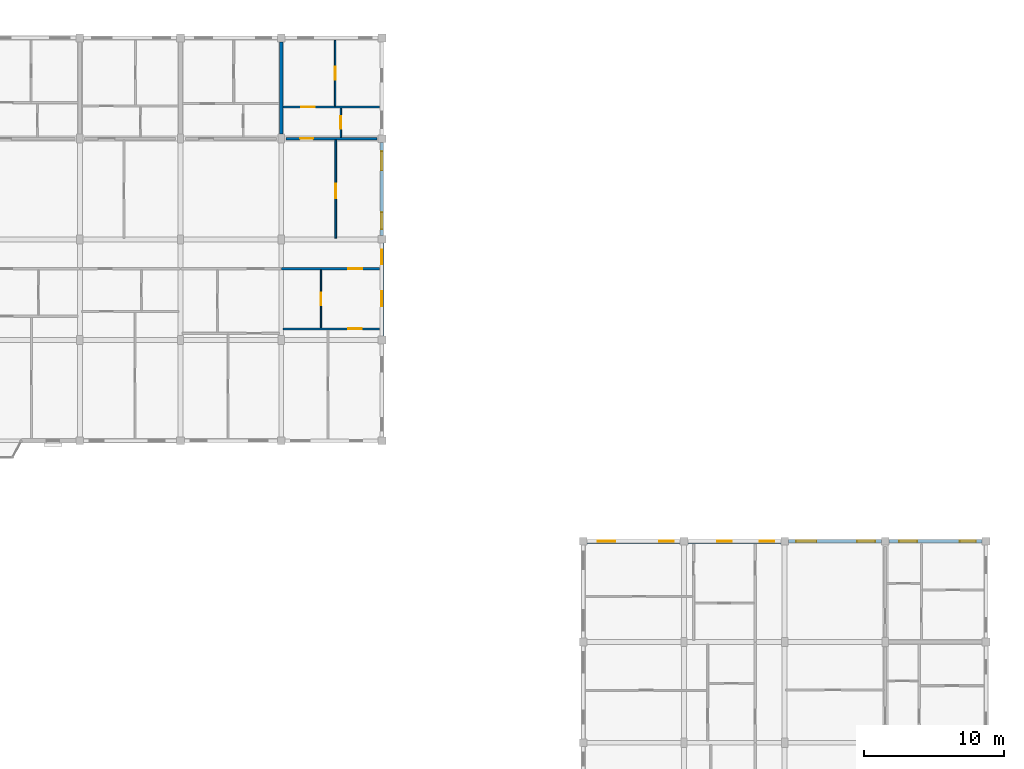
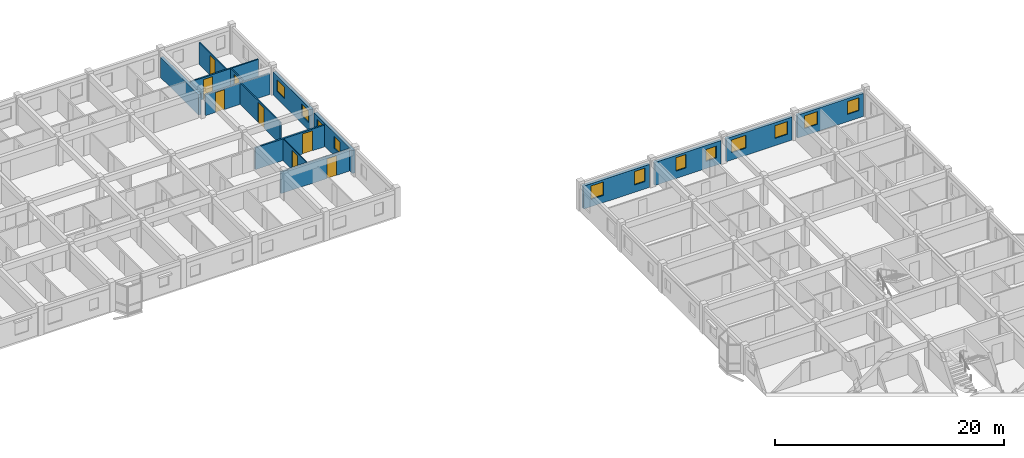
# One storey, part 71 of 77: 15 walls, 12 windows, 8 doors, 20 openings.
"""IFC4 building model written with IfcOpenShell, lengths in metres."""

from ifc_helpers import new_model, si_unit, direction, frame, frame_2d, origin, place, context, subcontext, project, spatial, rectangle, extrude, material, layer, layer_set, type_object, element, fill, save


model = new_model("IFC4")

# Units and contexts
model_context = context("Model", 3, precision=1e-05, world=origin(), true_north=direction((0.0, 1.0)))
body_context = subcontext(model_context, "Body", "Model", "MODEL_VIEW")
ifc_project = project(units=[si_unit("LENGTHUNIT", "METRE"), si_unit("AREAUNIT", "SQUARE_METRE"), si_unit("VOLUMEUNIT", "CUBIC_METRE"), si_unit("PLANEANGLEUNIT", "RADIAN"), si_unit("MASSUNIT", "GRAM", prefix="KILO"), si_unit("THERMODYNAMICTEMPERATUREUNIT", "KELVIN"), si_unit("POWERUNIT", "WATT")], contexts=[model_context])

# Site, building, storey
site_placement = place(None, origin())
site = spatial("IfcSite", under=ifc_project, at=site_placement, CompositionType="ELEMENT")
building_placement = place(site_placement, origin())
building = spatial("IfcBuilding", under=site, at=building_placement, Name="Tavuni Mirador Residences", CompositionType="ELEMENT")
storey_placement = place(building_placement, frame((0.0, 0.0, 10.800048828125)))
storey = spatial("IfcBuildingStorey", under=building, at=storey_placement, Name="L03", CompositionType="ELEMENT", Elevation=10.800048828125)

# Wall, opening, door
ifc_material_1 = material(Name="Precast concrete C40/50", Category="concrete")
ifc_layer_1 = layer(ifc_material_1, 0.1650390625, Name="Precast concrete C40/50", Category="concrete")
ifc_layer_set_1 = layer_set([ifc_layer_1], Name="Precast concrete C40/50")
wall_type_1 = type_object("IfcWallType", Name="WT-CORR165", PredefinedType="PARTITIONING", material=ifc_layer_set_1)
wall_1_placement = place(storey_placement, frame((68.419921875, 156.300048828125, 0.0), z_axis=(0.0, 0.0, 1.0), x_axis=(1.0, 0.0, 0.0)))
wall_1 = element("IfcWall", 1, at=wall_1_placement, inside=storey, type_object=wall_type_1, Name="CORW-BLK-C-L03-0-08", PredefinedType="PARTITIONING", context=body_context, shape_type="SweptSolid", body=[
    extrude(rectangle(XDim=7.005126953125, YDim=0.1650390625, at=frame_2d((3.50244140625, 0.0))), origin(), (0.0, 0.0, 1.0), 2.320068359375),
])
opening_1_placement = place(wall_1_placement, frame((4.780029296875, 0.0, 0.0)))
opening_1 = element("IfcOpeningElement", 2, at=opening_1_placement, cuts=wall_1, Name="Opening D-03", PredefinedType="OPENING", context=body_context, shape_type="SweptSolid", body=[
    extrude(rectangle(XDim=1.0, YDim=2.14990234375, at=frame_2d((0.5, 1.074951171875))), frame((0.0, 0.092529296875, 0.0), z_axis=(0.0, -1.0, 0.0), x_axis=(1.0, 0.0, 0.0)), (0.0, 0.0, 1.0), 0.18505859375),
])
ifc_material_2 = material(Name="Solid core iroko timber", Category="wood")
door_type_1 = type_object("IfcDoorType", Name="DT-FD60-1000", OperationType="NOTDEFINED", PredefinedType="DOOR", material=ifc_material_2)
door_1_placement = place(opening_1_placement, origin())
door_1 = element("IfcDoor", 3, at=door_1_placement, inside=storey, type_object=door_type_1, Name="DR-2667", OperationType="SINGLE_SWING_RIGHT", OverallHeight=2.14990234375, OverallWidth=1.0, PredefinedType="DOOR", context=body_context, shape_type="SweptSolid", body=[
    extrude(rectangle(XDim=1.0, YDim=2.14990234375, at=frame_2d((0.5, 1.074951171875))), frame((0.0, 0.02490234375, 0.0), z_axis=(0.0, -1.0, 0.0), x_axis=(1.0, 0.0, 0.0)), (0.0, 0.0, 1.0), 0.050048828125),
])
fill(opening_1, door_1)

wall_2_placement = place(storey_placement, frame((68.75, 165.60009765625, 0.0), z_axis=(0.0, 0.0, 1.0), x_axis=(1.0, 0.0, 0.0)))
wall_2 = element("IfcWall", 4, at=wall_2_placement, inside=storey, type_object=wall_type_1, Name="CORW-BLK-C-L03-1-08", PredefinedType="PARTITIONING", context=body_context, shape_type="SweptSolid", body=[
    extrude(rectangle(XDim=6.5, YDim=0.1650390625, at=frame_2d((3.25, 0.0))), origin(), (0.0, 0.0, 1.0), 2.23486328125),
])
opening_2_placement = place(wall_2_placement, frame((1.0, 0.0, 0.0)))
opening_2 = element("IfcOpeningElement", 5, at=opening_2_placement, cuts=wall_2, Name="Opening D-19", PredefinedType="OPENING", context=body_context, shape_type="SweptSolid", body=[
    extrude(rectangle(XDim=0.93994140625, YDim=2.1201171875, at=frame_2d((0.469970703125, 1.06005859375))), frame((0.0, 0.092529296875, 0.0), z_axis=(0.0, -1.0, 0.0), x_axis=(1.0, 0.0, 0.0)), (0.0, 0.0, 1.0), 0.18505859375),
])
door_type_2 = type_object("IfcDoorType", Name="DT-FD60-940", OperationType="NOTDEFINED", PredefinedType="DOOR", material=ifc_material_2)
door_2_placement = place(opening_2_placement, origin())
door_2 = element("IfcDoor", 6, at=door_2_placement, inside=storey, type_object=door_type_2, Name="DR-2674", OperationType="SINGLE_SWING_LEFT", OverallHeight=2.1201171875, OverallWidth=0.93994140625, PredefinedType="DOOR", context=body_context, shape_type="SweptSolid", body=[
    extrude(rectangle(XDim=0.93994140625, YDim=2.1201171875, at=frame_2d((0.469970703125, 1.06005859375))), frame((0.0, 0.02490234375, 0.0), z_axis=(0.0, -1.0, 0.0), x_axis=(1.0, 0.0, 0.0)), (0.0, 0.0, 1.0), 0.050048828125),
])
fill(opening_2, door_2)

# Wall, openings, windows
ifc_material_3 = material(Name="Sgraffito lime-rendered precast concrete C40/50", Category="concrete")
ifc_layer_2 = layer(ifc_material_3, 0.2451171875, Name="Sgraffito lime-rendered precast concrete C40/50", Category="concrete")
ifc_layer_set_2 = layer_set([ifc_layer_2], Name="Sgraffito lime-rendered precast concrete C40/50")
wall_type_2 = type_object("IfcWallType", Name="WT-EXT-PC245", PredefinedType="SOLIDWALL", material=ifc_layer_set_2)
wall_3_placement = place(storey_placement, frame((118.52490234375, 136.800048828125, 0.0), z_axis=(0.0, 0.0, 1.0), x_axis=(-1.0, 0.0, 0.0)))
wall_3 = element("IfcWall", 7, at=wall_3_placement, inside=storey, type_object=wall_type_2, Name="EW-BLK-D-L03-N03", PredefinedType="SOLIDWALL", context=body_context, shape_type="SweptSolid", body=[
    extrude(rectangle(XDim=6.64990234375, YDim=0.2451171875, at=frame_2d((3.324951171875, 0.0))), origin(), (0.0, 0.0, 1.0), 2.4599609375),
])
opening_3_placement = place(wall_3_placement, frame((0.449951171875, 0.0, 0.780029296875)))
opening_3 = element("IfcOpeningElement", 8, at=opening_3_placement, cuts=wall_3, Name="Opening WN-20", PredefinedType="OPENING", context=body_context, shape_type="SweptSolid", body=[
    extrude(rectangle(XDim=1.139892578125, YDim=1.360107421875, at=frame_2d((0.56982421875, 0.68017578125))), frame((0.0, 0.132568359375, 0.0), z_axis=(0.0, -1.0, 0.0), x_axis=(1.0, 0.0, 0.0)), (0.0, 0.0, 1.0), 0.26513671875),
])
opening_4_placement = place(wall_3_placement, frame((4.64990234375, 0.0, 0.780029296875)))
opening_4 = element("IfcOpeningElement", 9, at=opening_4_placement, cuts=wall_3, Name="Opening WN-22", PredefinedType="OPENING", context=body_context, shape_type="SweptSolid", body=[
    extrude(rectangle(XDim=1.300048828125, YDim=1.360107421875, at=frame_2d((0.64990234375, 0.68017578125))), frame((0.0, 0.132568359375, 0.0), z_axis=(0.0, -1.0, 0.0), x_axis=(1.0, 0.0, 0.0)), (0.0, 0.0, 1.0), 0.26513671875),
])
ifc_material_4 = material(Name="Laminated solar-control glass", Category="glass")
window_type_1 = type_object("IfcWindowType", Name="WNT-20", PartitioningType="SINGLE_PANEL", PredefinedType="WINDOW", material=ifc_material_4)
window_1_placement = place(opening_3_placement, origin())
window_1 = element("IfcWindow", 10, at=window_1_placement, inside=storey, type_object=window_type_1, Name="WIN-1546", OverallHeight=1.360107421875, OverallWidth=1.139892578125, PartitioningType="SINGLE_PANEL", PredefinedType="WINDOW", context=body_context, shape_type="SweptSolid", body=[
    extrude(rectangle(XDim=1.139892578125, YDim=1.360107421875, at=frame_2d((0.56982421875, 0.68017578125))), frame((0.0, 0.030029296875, 0.0), z_axis=(0.0, -1.0, 0.0), x_axis=(1.0, 0.0, 0.0)), (0.0, 0.0, 1.0), 0.06005859375),
])
fill(opening_3, window_1)
window_type_2 = type_object("IfcWindowType", Name="WNT-22", PartitioningType="SINGLE_PANEL", PredefinedType="WINDOW", material=ifc_material_4)
window_2_placement = place(opening_4_placement, origin())
window_2 = element("IfcWindow", 11, at=window_2_placement, inside=storey, type_object=window_type_2, Name="WIN-1547", OverallHeight=1.360107421875, OverallWidth=1.300048828125, PartitioningType="SINGLE_PANEL", PredefinedType="WINDOW", context=body_context, shape_type="SweptSolid", body=[
    extrude(rectangle(XDim=1.300048828125, YDim=1.360107421875, at=frame_2d((0.64990234375, 0.68017578125))), frame((0.0, 0.030029296875, 0.0), z_axis=(0.0, -1.0, 0.0), x_axis=(1.0, 0.0, 0.0)), (0.0, 0.0, 1.0), 0.06005859375),
])
fill(opening_4, window_2)

ifc_layer_3 = layer(ifc_material_3, 0.2548828125, Name="Sgraffito lime-rendered precast concrete C40/50", Category="concrete")
ifc_layer_set_3 = layer_set([ifc_layer_3], Name="Sgraffito lime-rendered precast concrete C40/50")
wall_type_3 = type_object("IfcWallType", Name="WT-EXT-PC255", PredefinedType="SOLIDWALL", material=ifc_layer_set_3)
wall_4_placement = place(storey_placement, frame((75.60009765625, 158.675048828125, 0.0), z_axis=(0.0, 0.0, 1.0), x_axis=(0.0, 1.0, 0.0)))
wall_4 = element("IfcWall", 12, at=wall_4_placement, inside=storey, type_object=wall_type_3, Name="EW-BLK-C-L03-E02", PredefinedType="SOLIDWALL", context=body_context, shape_type="SweptSolid", body=[
    extrude(rectangle(XDim=6.64990234375, YDim=0.2548828125, at=frame_2d((3.324951171875, 0.0))), origin(), (0.0, 0.0, 1.0), 2.454833984375),
])
opening_5_placement = place(wall_4_placement, frame((0.449951171875, 0.0, 0.780029296875)))
opening_5 = element("IfcOpeningElement", 13, at=opening_5_placement, cuts=wall_4, Name="Opening WN-13", PredefinedType="OPENING", context=body_context, shape_type="SweptSolid", body=[
    extrude(rectangle(XDim=1.199951171875, YDim=1.260009765625, at=frame_2d((0.60009765625, 0.6298828125))), frame((0.0, 0.137451171875, 0.0), z_axis=(0.0, -1.0, 0.0), x_axis=(1.0, 0.0, 0.0)), (0.0, 0.0, 1.0), 0.27490234375),
])
opening_6_placement = place(wall_4_placement, frame((4.64990234375, 0.0, 0.780029296875)))
opening_6 = element("IfcOpeningElement", 14, at=opening_6_placement, cuts=wall_4, Name="Opening WN-15", PredefinedType="OPENING", context=body_context, shape_type="SweptSolid", body=[
    extrude(rectangle(XDim=1.360107421875, YDim=1.260009765625, at=frame_2d((0.68017578125, 0.6298828125))), frame((0.0, 0.137451171875, 0.0), z_axis=(0.0, -1.0, 0.0), x_axis=(1.0, 0.0, 0.0)), (0.0, 0.0, 1.0), 0.27490234375),
])
window_type_3 = type_object("IfcWindowType", Name="WNT-13", PartitioningType="SINGLE_PANEL", PredefinedType="WINDOW", material=ifc_material_4)
window_3_placement = place(opening_5_placement, origin())
window_3 = element("IfcWindow", 15, at=window_3_placement, inside=storey, type_object=window_type_3, Name="WIN-0969", OverallHeight=1.260009765625, OverallWidth=1.199951171875, PartitioningType="SINGLE_PANEL", PredefinedType="WINDOW", context=body_context, shape_type="SweptSolid", body=[
    extrude(rectangle(XDim=1.199951171875, YDim=1.260009765625, at=frame_2d((0.60009765625, 0.6298828125))), frame((0.0, 0.030029296875, 0.0), z_axis=(0.0, -1.0, 0.0), x_axis=(1.0, 0.0, 0.0)), (0.0, 0.0, 1.0), 0.06005859375),
])
fill(opening_5, window_3)
window_type_4 = type_object("IfcWindowType", Name="WNT-15", PartitioningType="SINGLE_PANEL", PredefinedType="WINDOW", material=ifc_material_4)
window_4_placement = place(opening_6_placement, origin())
window_4 = element("IfcWindow", 16, at=window_4_placement, inside=storey, type_object=window_type_4, Name="WIN-0970", OverallHeight=1.260009765625, OverallWidth=1.360107421875, PartitioningType="SINGLE_PANEL", PredefinedType="WINDOW", context=body_context, shape_type="SweptSolid", body=[
    extrude(rectangle(XDim=1.360107421875, YDim=1.260009765625, at=frame_2d((0.68017578125, 0.6298828125))), frame((0.0, 0.030029296875, 0.0), z_axis=(0.0, -1.0, 0.0), x_axis=(1.0, 0.0, 0.0)), (0.0, 0.0, 1.0), 0.06005859375),
])
fill(opening_6, window_4)

wall_5_placement = place(storey_placement, frame((111.324951171875, 136.800048828125, 0.0), z_axis=(0.0, 0.0, 1.0), x_axis=(-1.0, 0.0, 0.0)))
wall_5 = element("IfcWall", 17, at=wall_5_placement, inside=storey, type_object=wall_type_3, Name="EW-BLK-D-L03-N02", PredefinedType="SOLIDWALL", context=body_context, shape_type="SweptSolid", body=[
    extrude(rectangle(XDim=6.64990234375, YDim=0.2548828125, at=frame_2d((3.324951171875, 0.0))), origin(), (0.0, 0.0, 1.0), 2.4599609375),
])
opening_7_placement = place(wall_5_placement, frame((0.449951171875, 0.0, 0.780029296875)))
opening_7 = element("IfcOpeningElement", 18, at=opening_7_placement, cuts=wall_5, Name="Opening WN-22", PredefinedType="OPENING", context=body_context, shape_type="SweptSolid", body=[
    extrude(rectangle(XDim=1.300048828125, YDim=1.360107421875, at=frame_2d((0.64990234375, 0.68017578125))), frame((0.0, 0.137451171875, 0.0), z_axis=(0.0, -1.0, 0.0), x_axis=(1.0, 0.0, 0.0)), (0.0, 0.0, 1.0), 0.27490234375),
])
opening_8_placement = place(wall_5_placement, frame((4.64990234375, 0.0, 0.780029296875)))
opening_8 = element("IfcOpeningElement", 19, at=opening_8_placement, cuts=wall_5, Name="Opening WN-24", PredefinedType="OPENING", context=body_context, shape_type="SweptSolid", body=[
    extrude(rectangle(XDim=1.4599609375, YDim=1.360107421875, at=frame_2d((0.72998046875, 0.68017578125))), frame((0.0, 0.137451171875, 0.0), z_axis=(0.0, -1.0, 0.0), x_axis=(1.0, 0.0, 0.0)), (0.0, 0.0, 1.0), 0.27490234375),
])
window_5_placement = place(opening_7_placement, origin())
window_5 = element("IfcWindow", 20, at=window_5_placement, inside=storey, type_object=window_type_2, Name="WIN-1548", OverallHeight=1.360107421875, OverallWidth=1.300048828125, PartitioningType="SINGLE_PANEL", PredefinedType="WINDOW", context=body_context, shape_type="SweptSolid", body=[
    extrude(rectangle(XDim=1.300048828125, YDim=1.360107421875, at=frame_2d((0.64990234375, 0.68017578125))), frame((0.0, 0.030029296875, 0.0), z_axis=(0.0, -1.0, 0.0), x_axis=(1.0, 0.0, 0.0)), (0.0, 0.0, 1.0), 0.06005859375),
])
fill(opening_7, window_5)
window_type_5 = type_object("IfcWindowType", Name="WNT-24", PartitioningType="SINGLE_PANEL", PredefinedType="WINDOW", material=ifc_material_4)
window_6_placement = place(opening_8_placement, origin())
window_6 = element("IfcWindow", 21, at=window_6_placement, inside=storey, type_object=window_type_5, Name="WIN-1549", OverallHeight=1.360107421875, OverallWidth=1.4599609375, PartitioningType="SINGLE_PANEL", PredefinedType="WINDOW", context=body_context, shape_type="SweptSolid", body=[
    extrude(rectangle(XDim=1.4599609375, YDim=1.360107421875, at=frame_2d((0.72998046875, 0.68017578125))), frame((0.0, 0.030029296875, 0.0), z_axis=(0.0, -1.0, 0.0), x_axis=(1.0, 0.0, 0.0)), (0.0, 0.0, 1.0), 0.06005859375),
])
fill(opening_8, window_6)

ifc_layer_4 = layer(ifc_material_3, 0.27490234375, Name="Sgraffito lime-rendered precast concrete C40/50", Category="concrete")
ifc_layer_set_4 = layer_set([ifc_layer_4], Name="Sgraffito lime-rendered precast concrete C40/50")
wall_type_4 = type_object("IfcWallType", Name="WT-EXT-PC275", PredefinedType="SOLIDWALL", material=ifc_layer_set_4)
wall_6_placement = place(storey_placement, frame((75.60009765625, 151.47509765625, 0.0), z_axis=(0.0, 0.0, 1.0), x_axis=(0.0, 1.0, 0.0)))
wall_6 = element("IfcWall", 22, at=wall_6_placement, inside=storey, type_object=wall_type_4, Name="EW-BLK-C-L03-E01", PredefinedType="SOLIDWALL", context=body_context, shape_type="SweptSolid", body=[
    extrude(rectangle(XDim=6.64990234375, YDim=0.27490234375, at=frame_2d((3.324951171875, 0.0))), origin(), (0.0, 0.0, 1.0), 2.454833984375),
])
opening_9_placement = place(wall_6_placement, frame((2.155029296875, 0.0, 0.780029296875)))
opening_9 = element("IfcOpeningElement", 23, at=opening_9_placement, cuts=wall_6, Name="Opening WN-11", PredefinedType="OPENING", context=body_context, shape_type="SweptSolid", body=[
    extrude(rectangle(XDim=1.0400390625, YDim=1.260009765625, at=frame_2d((0.52001953125, 0.6298828125))), frame((0.0, 0.1474609375, 0.0), z_axis=(0.0, -1.0, 0.0), x_axis=(1.0, 0.0, 0.0)), (0.0, 0.0, 1.0), 0.294921875),
])
opening_10_placement = place(wall_6_placement, frame((5.1474609375, 0.0, 0.780029296875)))
opening_10 = element("IfcOpeningElement", 24, at=opening_10_placement, cuts=wall_6, Name="Opening WN-11", PredefinedType="OPENING", context=body_context, shape_type="SweptSolid", body=[
    extrude(rectangle(XDim=1.0400390625, YDim=1.260009765625, at=frame_2d((0.52001953125, 0.6298828125))), frame((0.0, 0.1474609375, 0.0), z_axis=(0.0, -1.0, 0.0), x_axis=(1.0, 0.0, 0.0)), (0.0, 0.0, 1.0), 0.294921875),
])
window_type_6 = type_object("IfcWindowType", Name="WNT-11", PartitioningType="SINGLE_PANEL", PredefinedType="WINDOW", material=ifc_material_4)
window_7_placement = place(opening_9_placement, origin())
window_7 = element("IfcWindow", 25, at=window_7_placement, inside=storey, type_object=window_type_6, Name="WIN-0967", OverallHeight=1.260009765625, OverallWidth=1.0400390625, PartitioningType="SINGLE_PANEL", PredefinedType="WINDOW", context=body_context, shape_type="SweptSolid", body=[
    extrude(rectangle(XDim=1.0400390625, YDim=1.260009765625, at=frame_2d((0.52001953125, 0.6298828125))), frame((0.0, 0.030029296875, 0.0), z_axis=(0.0, -1.0, 0.0), x_axis=(1.0, 0.0, 0.0)), (0.0, 0.0, 1.0), 0.06005859375),
])
fill(opening_9, window_7)
window_8_placement = place(opening_10_placement, origin())
window_8 = element("IfcWindow", 26, at=window_8_placement, inside=storey, type_object=window_type_6, Name="WIN-0968", OverallHeight=1.260009765625, OverallWidth=1.0400390625, PartitioningType="SINGLE_PANEL", PredefinedType="WINDOW", context=body_context, shape_type="SweptSolid", body=[
    extrude(rectangle(XDim=1.0400390625, YDim=1.260009765625, at=frame_2d((0.52001953125, 0.6298828125))), frame((0.0, 0.030029296875, 0.0), z_axis=(0.0, -1.0, 0.0), x_axis=(1.0, 0.0, 0.0)), (0.0, 0.0, 1.0), 0.06005859375),
])
fill(opening_10, window_8)

wall_7_placement = place(storey_placement, frame((104.125, 136.800048828125, 0.0), z_axis=(0.0, 0.0, 1.0), x_axis=(-1.0, 0.0, 0.0)))
wall_7 = element("IfcWall", 27, at=wall_7_placement, inside=storey, type_object=wall_type_4, Name="EW-BLK-D-L03-N01", PredefinedType="SOLIDWALL", context=body_context, shape_type="SweptSolid", body=[
    extrude(rectangle(XDim=6.64990234375, YDim=0.27490234375, at=frame_2d((3.324951171875, 0.0))), origin(), (0.0, 0.0, 1.0), 2.4599609375),
])
opening_11_placement = place(wall_7_placement, frame((0.46240234375, 0.0, 0.780029296875)))
opening_11 = element("IfcOpeningElement", 28, at=opening_11_placement, cuts=wall_7, Name="Opening WN-11", PredefinedType="OPENING", context=body_context, shape_type="SweptSolid", body=[
    extrude(rectangle(XDim=1.0400390625, YDim=1.260009765625, at=frame_2d((0.52001953125, 0.6298828125))), frame((0.0, 0.1474609375, 0.0), z_axis=(0.0, -1.0, 0.0), x_axis=(1.0, 0.0, 0.0)), (0.0, 0.0, 1.0), 0.294921875),
])
opening_12_placement = place(wall_7_placement, frame((3.5048828125, 0.0, 0.780029296875)))
opening_12 = element("IfcOpeningElement", 29, at=opening_12_placement, cuts=wall_7, Name="Opening WN-26", PredefinedType="OPENING", context=body_context, shape_type="SweptSolid", body=[
    extrude(rectangle(XDim=1.050048828125, YDim=1.43994140625, at=frame_2d((0.52490234375, 0.719970703125))), frame((0.0, 0.1474609375, 0.0), z_axis=(0.0, -1.0, 0.0), x_axis=(1.0, 0.0, 0.0)), (0.0, 0.0, 1.0), 0.294921875),
])
window_9_placement = place(opening_11_placement, origin())
window_9 = element("IfcWindow", 30, at=window_9_placement, inside=storey, type_object=window_type_6, Name="WIN-1550", OverallHeight=1.260009765625, OverallWidth=1.0400390625, PartitioningType="SINGLE_PANEL", PredefinedType="WINDOW", context=body_context, shape_type="SweptSolid", body=[
    extrude(rectangle(XDim=1.0400390625, YDim=1.260009765625, at=frame_2d((0.52001953125, 0.6298828125))), frame((0.0, 0.030029296875, 0.0), z_axis=(0.0, -1.0, 0.0), x_axis=(1.0, 0.0, 0.0)), (0.0, 0.0, 1.0), 0.06005859375),
])
fill(opening_11, window_9)
window_type_7 = type_object("IfcWindowType", Name="WNT-26", PartitioningType="SINGLE_PANEL", PredefinedType="WINDOW", material=ifc_material_4)
window_10_placement = place(opening_12_placement, origin())
window_10 = element("IfcWindow", 31, at=window_10_placement, inside=storey, type_object=window_type_7, Name="WIN-1551", OverallHeight=1.43994140625, OverallWidth=1.050048828125, PartitioningType="SINGLE_PANEL", PredefinedType="WINDOW", context=body_context, shape_type="SweptSolid", body=[
    extrude(rectangle(XDim=1.050048828125, YDim=1.43994140625, at=frame_2d((0.52490234375, 0.719970703125))), frame((0.0, 0.030029296875, 0.0), z_axis=(0.0, -1.0, 0.0), x_axis=(1.0, 0.0, 0.0)), (0.0, 0.0, 1.0), 0.06005859375),
])
fill(opening_12, window_10)

ifc_layer_5 = layer(ifc_material_3, 0.2900390625, Name="Sgraffito lime-rendered precast concrete C40/50", Category="concrete")
ifc_layer_set_5 = layer_set([ifc_layer_5], Name="Sgraffito lime-rendered precast concrete C40/50")
wall_type_5 = type_object("IfcWallType", Name="WT-EXT-PC290", PredefinedType="SOLIDWALL", material=ifc_layer_set_5)
wall_8_placement = place(storey_placement, frame((96.925048828125, 136.800048828125, 0.0), z_axis=(0.0, 0.0, 1.0), x_axis=(-1.0, 0.0, 0.0)))
wall_8 = element("IfcWall", 32, at=wall_8_placement, inside=storey, type_object=wall_type_5, Name="EW-BLK-D-L03-N00", PredefinedType="SOLIDWALL", context=body_context, shape_type="SweptSolid", body=[
    extrude(rectangle(XDim=6.650146484375, YDim=0.2900390625, at=frame_2d((3.3251953125, 0.0))), origin(), (0.0, 0.0, 1.0), 2.4599609375),
])
opening_13_placement = place(wall_8_placement, frame((0.449951171875, 0.0, 0.780029296875)))
opening_13 = element("IfcOpeningElement", 33, at=opening_13_placement, cuts=wall_8, Name="Opening WN-26", PredefinedType="OPENING", context=body_context, shape_type="SweptSolid", body=[
    extrude(rectangle(XDim=1.050048828125, YDim=1.43994140625, at=frame_2d((0.52490234375, 0.719970703125))), frame((0.0, 0.155029296875, 0.0), z_axis=(0.0, -1.0, 0.0), x_axis=(1.0, 0.0, 0.0)), (0.0, 0.0, 1.0), 0.31005859375),
])
opening_14_placement = place(wall_8_placement, frame((4.64990234375, 0.0, 0.780029296875)))
opening_14 = element("IfcOpeningElement", 34, at=opening_14_placement, cuts=wall_8, Name="Opening WN-28", PredefinedType="OPENING", context=body_context, shape_type="SweptSolid", body=[
    extrude(rectangle(XDim=1.25, YDim=1.43994140625, at=frame_2d((0.625, 0.719970703125))), frame((0.0, 0.155029296875, 0.0), z_axis=(0.0, -1.0, 0.0), x_axis=(1.0, 0.0, 0.0)), (0.0, 0.0, 1.0), 0.31005859375),
])
window_11_placement = place(opening_13_placement, origin())
window_11 = element("IfcWindow", 35, at=window_11_placement, inside=storey, type_object=window_type_7, Name="WIN-1552", OverallHeight=1.43994140625, OverallWidth=1.050048828125, PartitioningType="SINGLE_PANEL", PredefinedType="WINDOW", context=body_context, shape_type="SweptSolid", body=[
    extrude(rectangle(XDim=1.050048828125, YDim=1.43994140625, at=frame_2d((0.52490234375, 0.719970703125))), frame((0.0, 0.030029296875, 0.0), z_axis=(0.0, -1.0, 0.0), x_axis=(1.0, 0.0, 0.0)), (0.0, 0.0, 1.0), 0.06005859375),
])
fill(opening_13, window_11)
window_type_8 = type_object("IfcWindowType", Name="WNT-28", PartitioningType="SINGLE_PANEL", PredefinedType="WINDOW", material=ifc_material_4)
window_12_placement = place(opening_14_placement, origin())
window_12 = element("IfcWindow", 36, at=window_12_placement, inside=storey, type_object=window_type_8, Name="WIN-1553", OverallHeight=1.43994140625, OverallWidth=1.25, PartitioningType="SINGLE_PANEL", PredefinedType="WINDOW", context=body_context, shape_type="SweptSolid", body=[
    extrude(rectangle(XDim=1.25, YDim=1.43994140625, at=frame_2d((0.625, 0.719970703125))), frame((0.0, 0.030029296875, 0.0), z_axis=(0.0, -1.0, 0.0), x_axis=(1.0, 0.0, 0.0)), (0.0, 0.0, 1.0), 0.06005859375),
])
fill(opening_14, window_12)

# Wall, opening, door
ifc_material_5 = material(Name="Acoustic gypsum and concrete block partition", Category="concrete")
ifc_layer_6 = layer(ifc_material_5, 0.094970703125, Name="Acoustic gypsum and concrete block partition", Category="concrete")
ifc_layer_set_6 = layer_set([ifc_layer_6], Name="Acoustic gypsum and concrete block partition")
wall_type_6 = type_object("IfcWallType", Name="WT-PART095", PredefinedType="PARTITIONING", material=ifc_layer_set_6)
wall_9_placement = place(storey_placement, frame((71.25, 152.070068359375, 0.0), z_axis=(0.0, 0.0, 1.0), x_axis=(0.0, 1.0, 0.0)))
wall_9 = element("IfcWall", 37, at=wall_9_placement, inside=storey, type_object=wall_type_6, Name="PW-BLK-C-L03-S08-IN1", PredefinedType="PARTITIONING", context=body_context, shape_type="SweptSolid", body=[
    extrude(rectangle(XDim=4.139892578125, YDim=0.094970703125, at=frame_2d((2.06982421875, 0.0))), origin(), (0.0, 0.0, 1.0), 2.320068359375),
])
opening_15_placement = place(wall_9_placement, frame((1.6201171875, 0.0, 0.0)))
opening_15 = element("IfcOpeningElement", 38, at=opening_15_placement, cuts=wall_9, Name="Opening D-09", PredefinedType="OPENING", context=body_context, shape_type="SweptSolid", body=[
    extrude(rectangle(XDim=0.89990234375, YDim=2.050048828125, at=frame_2d((0.449951171875, 1.02490234375))), frame((0.0, 0.0576171875, 0.0), z_axis=(0.0, -1.0, 0.0), x_axis=(1.0, 0.0, 0.0)), (0.0, 0.0, 1.0), 0.114990234375),
])
door_type_3 = type_object("IfcDoorType", Name="DT-WC900", OperationType="NOTDEFINED", PredefinedType="DOOR", material=ifc_material_2)
door_3_placement = place(opening_15_placement, origin())
door_3 = element("IfcDoor", 39, at=door_3_placement, inside=storey, type_object=door_type_3, Name="DR-3845", OperationType="SINGLE_SWING_LEFT", OverallHeight=2.050048828125, OverallWidth=0.89990234375, PredefinedType="DOOR", context=body_context, shape_type="SweptSolid", body=[
    extrude(rectangle(XDim=0.89990234375, YDim=2.050048828125, at=frame_2d((0.449951171875, 1.02490234375))), frame((0.0, 0.02490234375, 0.0), z_axis=(0.0, -1.0, 0.0), x_axis=(1.0, 0.0, 0.0)), (0.0, 0.0, 1.0), 0.050048828125),
])
fill(opening_15, door_3)

ifc_layer_7 = layer(ifc_material_5, 0.10498046875, Name="Acoustic gypsum and concrete block partition", Category="concrete")
ifc_layer_set_7 = layer_set([ifc_layer_7], Name="Acoustic gypsum and concrete block partition")
wall_type_7 = type_object("IfcWallType", Name="WT-PART105", PredefinedType="PARTITIONING", material=ifc_layer_set_7)
wall_10_placement = place(storey_placement, frame((72.659912109375, 165.68994140625, 0.0), z_axis=(0.0, 0.0, 1.0), x_axis=(0.0, 1.0, 0.0)))
wall_10 = element("IfcWall", 40, at=wall_10_placement, inside=storey, type_object=wall_type_7, Name="PW-BLK-C-L03-N08-IN1", PredefinedType="PARTITIONING", context=body_context, shape_type="SweptSolid", body=[
    extrude(rectangle(XDim=2.10009765625, YDim=0.10498046875, at=frame_2d((1.050048828125, 0.0))), origin(), (0.0, 0.0, 1.0), 2.320068359375),
])
opening_16_placement = place(wall_10_placement, frame((0.60009765625, 0.0, 0.0)))
opening_16 = element("IfcOpeningElement", 41, at=opening_16_placement, cuts=wall_10, Name="Opening D-09", PredefinedType="OPENING", context=body_context, shape_type="SweptSolid", body=[
    extrude(rectangle(XDim=0.89990234375, YDim=2.050048828125, at=frame_2d((0.449951171875, 1.02490234375))), frame((0.0, 0.0625, 0.0), z_axis=(0.0, -1.0, 0.0), x_axis=(1.0, 0.0, 0.0)), (0.0, 0.0, 1.0), 0.125),
])
door_4_placement = place(opening_16_placement, origin())
door_4 = element("IfcDoor", 42, at=door_4_placement, inside=storey, type_object=door_type_3, Name="DR-3848", OperationType="SINGLE_SWING_LEFT", OverallHeight=2.050048828125, OverallWidth=0.89990234375, PredefinedType="DOOR", context=body_context, shape_type="SweptSolid", body=[
    extrude(rectangle(XDim=0.89990234375, YDim=2.050048828125, at=frame_2d((0.449951171875, 1.02490234375))), frame((0.0, 0.02490234375, 0.0), z_axis=(0.0, -1.0, 0.0), x_axis=(1.0, 0.0, 0.0)), (0.0, 0.0, 1.0), 0.050048828125),
])
fill(opening_16, door_4)

ifc_layer_8 = layer(ifc_material_5, 0.114990234375, Name="Acoustic gypsum and concrete block partition", Category="concrete")
ifc_layer_set_8 = layer_set([ifc_layer_8], Name="Acoustic gypsum and concrete block partition")
wall_type_8 = type_object("IfcWallType", Name="WT-PART115", PredefinedType="PARTITIONING", material=ifc_layer_set_8)
wall_11_placement = place(storey_placement, frame((72.300048828125, 158.489990234375, 0.0), z_axis=(0.0, 0.0, 1.0), x_axis=(0.0, 1.0, 0.0)))
wall_11 = element("IfcWall", 43, at=wall_11_placement, inside=storey, type_object=wall_type_8, Name="PW-SPN-BLK-C-L03-08", PredefinedType="PARTITIONING", context=body_context, shape_type="SweptSolid", body=[
    extrude(rectangle(XDim=7.02001953125, YDim=0.114990234375, at=frame_2d((3.510009765625, 0.0))), origin(), (0.0, 0.0, 1.0), 2.320068359375),
])
opening_17_placement = place(wall_11_placement, frame((2.85009765625, 0.0, 0.0)))
opening_17 = element("IfcOpeningElement", 44, at=opening_17_placement, cuts=wall_11, Name="Opening D-13", PredefinedType="OPENING", context=body_context, shape_type="SweptSolid", body=[
    extrude(rectangle(XDim=1.02001953125, YDim=2.14990234375, at=frame_2d((0.510009765625, 1.074951171875))), frame((0.0, 0.0673828125, 0.0), z_axis=(0.0, -1.0, 0.0), x_axis=(1.0, 0.0, 0.0)), (0.0, 0.0, 1.0), 0.135009765625),
])
door_type_4 = type_object("IfcDoorType", Name="DT-MTG1020", OperationType="NOTDEFINED", PredefinedType="DOOR", material=ifc_material_2)
door_5_placement = place(opening_17_placement, origin())
door_5 = element("IfcDoor", 45, at=door_5_placement, inside=storey, type_object=door_type_4, Name="DR-3843", OperationType="SINGLE_SWING_RIGHT", OverallHeight=2.14990234375, OverallWidth=1.02001953125, PredefinedType="DOOR", context=body_context, shape_type="SweptSolid", body=[
    extrude(rectangle(XDim=1.02001953125, YDim=2.14990234375, at=frame_2d((0.510009765625, 1.074951171875))), frame((0.0, 0.02490234375, 0.0), z_axis=(0.0, -1.0, 0.0), x_axis=(1.0, 0.0, 0.0)), (0.0, 0.0, 1.0), 0.050048828125),
])
fill(opening_17, door_5)

wall_12_placement = place(storey_placement, frame((72.260009765625, 167.929931640625, 0.0), z_axis=(0.0, 0.0, 1.0), x_axis=(0.0, 1.0, 0.0)))
wall_12 = element("IfcWall", 46, at=wall_12_placement, inside=storey, type_object=wall_type_8, Name="PW-BLK-C-L03-N08-OUT", PredefinedType="PARTITIONING", context=body_context, shape_type="SweptSolid", body=[
    extrude(rectangle(XDim=4.695068359375, YDim=0.114990234375, at=frame_2d((2.34765625, 0.0))), origin(), (0.0, 0.0, 1.0), 2.320068359375),
])
opening_18_placement = place(wall_12_placement, frame((1.8974609375, 0.0, 0.0)))
opening_18 = element("IfcOpeningElement", 47, at=opening_18_placement, cuts=wall_12, Name="Opening D-07", PredefinedType="OPENING", context=body_context, shape_type="SweptSolid", body=[
    extrude(rectangle(XDim=0.89990234375, YDim=2.10009765625, at=frame_2d((0.449951171875, 1.050048828125))), frame((0.0, 0.0673828125, 0.0), z_axis=(0.0, -1.0, 0.0), x_axis=(1.0, 0.0, 0.0)), (0.0, 0.0, 1.0), 0.135009765625),
])
door_type_5 = type_object("IfcDoorType", Name="DT-BED900", OperationType="NOTDEFINED", PredefinedType="DOOR", material=ifc_material_2)
door_6_placement = place(opening_18_placement, origin())
door_6 = element("IfcDoor", 48, at=door_6_placement, inside=storey, type_object=door_type_5, Name="DR-3847", OperationType="SINGLE_SWING_RIGHT", OverallHeight=2.10009765625, OverallWidth=0.89990234375, PredefinedType="DOOR", context=body_context, shape_type="SweptSolid", body=[
    extrude(rectangle(XDim=0.89990234375, YDim=2.10009765625, at=frame_2d((0.449951171875, 1.050048828125))), frame((0.0, 0.02490234375, 0.0), z_axis=(0.0, -1.0, 0.0), x_axis=(1.0, 0.0, 0.0)), (0.0, 0.0, 1.0), 0.050048828125),
])
fill(opening_18, door_6)

ifc_layer_9 = layer(ifc_material_5, 0.139892578125, Name="Acoustic gypsum and concrete block partition", Category="concrete")
ifc_layer_set_9 = layer_set([ifc_layer_9], Name="Acoustic gypsum and concrete block partition")
wall_type_9 = type_object("IfcWallType", Name="WT-PART140", PredefinedType="PARTITIONING", material=ifc_layer_set_9)
wall_13_placement = place(storey_placement, frame((68.5400390625, 167.860107421875, 0.0), z_axis=(0.0, 0.0, 1.0), x_axis=(1.0, 0.0, 0.0)))
wall_13 = element("IfcWall", 49, at=wall_13_placement, inside=storey, type_object=wall_type_9, Name="PW-BLK-C-L03-N08-MID", PredefinedType="PARTITIONING", context=body_context, shape_type="SweptSolid", body=[
    extrude(rectangle(XDim=6.885009765625, YDim=0.139892578125, at=frame_2d((3.4423828125, 0.0))), origin(), (0.0, 0.0, 1.0), 2.320068359375),
])
opening_19_placement = place(wall_13_placement, frame((1.31005859375, 0.0, 0.0)))
opening_19 = element("IfcOpeningElement", 50, at=opening_19_placement, cuts=wall_13, Name="Opening D-05", PredefinedType="OPENING", context=body_context, shape_type="SweptSolid", body=[
    extrude(rectangle(XDim=0.949951171875, YDim=2.10009765625, at=frame_2d((0.47509765625, 1.050048828125))), frame((0.0, 0.080078125, 0.0), z_axis=(0.0, -1.0, 0.0), x_axis=(1.0, 0.0, 0.0)), (0.0, 0.0, 1.0), 0.159912109375),
])
door_type_6 = type_object("IfcDoorType", Name="DT-INT950", OperationType="NOTDEFINED", PredefinedType="DOOR", material=ifc_material_2)
door_7_placement = place(opening_19_placement, origin())
door_7 = element("IfcDoor", 51, at=door_7_placement, inside=storey, type_object=door_type_6, Name="DR-3849", OperationType="SINGLE_SWING_LEFT", OverallHeight=2.10009765625, OverallWidth=0.949951171875, PredefinedType="DOOR", context=body_context, shape_type="SweptSolid", body=[
    extrude(rectangle(XDim=0.949951171875, YDim=2.10009765625, at=frame_2d((0.47509765625, 1.050048828125))), frame((0.0, 0.02490234375, 0.0), z_axis=(0.0, -1.0, 0.0), x_axis=(1.0, 0.0, 0.0)), (0.0, 0.0, 1.0), 0.050048828125),
])
fill(opening_19, door_7)

ifc_layer_10 = layer(ifc_material_5, 0.14990234375, Name="Acoustic gypsum and concrete block partition", Category="concrete")
ifc_layer_set_10 = layer_set([ifc_layer_10], Name="Acoustic gypsum and concrete block partition")
wall_type_10 = type_object("IfcWallType", Name="WT-PART150", PredefinedType="PARTITIONING", material=ifc_layer_set_10)
wall_14_placement = place(storey_placement, frame((68.5400390625, 152.0, 0.0), z_axis=(0.0, 0.0, 1.0), x_axis=(1.0, 0.0, 0.0)))
wall_14 = element("IfcWall", 52, at=wall_14_placement, inside=storey, type_object=wall_type_10, Name="PW-BLK-C-L03-S08-MID", PredefinedType="PARTITIONING", context=body_context, shape_type="SweptSolid", body=[
    extrude(rectangle(XDim=6.885009765625, YDim=0.14990234375, at=frame_2d((3.4423828125, 0.0))), origin(), (0.0, 0.0, 1.0), 2.320068359375),
])
opening_20_placement = place(wall_14_placement, frame((4.659912109375, 0.0, 0.0)))
opening_20 = element("IfcOpeningElement", 53, at=opening_20_placement, cuts=wall_14, Name="Opening D-05", PredefinedType="OPENING", context=body_context, shape_type="SweptSolid", body=[
    extrude(rectangle(XDim=0.949951171875, YDim=2.10009765625, at=frame_2d((0.47509765625, 1.050048828125))), frame((0.0, 0.0849609375, 0.0), z_axis=(0.0, -1.0, 0.0), x_axis=(1.0, 0.0, 0.0)), (0.0, 0.0, 1.0), 0.169921875),
])
door_8_placement = place(opening_20_placement, origin())
door_8 = element("IfcDoor", 54, at=door_8_placement, inside=storey, type_object=door_type_6, Name="DR-3846", OperationType="SINGLE_SWING_LEFT", OverallHeight=2.10009765625, OverallWidth=0.949951171875, PredefinedType="DOOR", context=body_context, shape_type="SweptSolid", body=[
    extrude(rectangle(XDim=0.949951171875, YDim=2.10009765625, at=frame_2d((0.47509765625, 1.050048828125))), frame((0.0, 0.02490234375, 0.0), z_axis=(0.0, -1.0, 0.0), x_axis=(1.0, 0.0, 0.0)), (0.0, 0.0, 1.0), 0.050048828125),
])
fill(opening_20, door_8)

# Wall
ifc_layer_11 = layer(ifc_material_1, 0.264892578125, Name="Precast concrete C40/50", Category="concrete")
ifc_layer_set_11 = layer_set([ifc_layer_11], Name="Precast concrete C40/50")
wall_type_11 = type_object("IfcWallType", Name="WT-XW265", PredefinedType="SOLIDWALL", material=ifc_layer_set_11)
wall_15_placement = place(storey_placement, frame((68.39990234375, 165.925048828125, 0.0), z_axis=(0.0, 0.0, 1.0), x_axis=(0.0, 1.0, 0.0)))
element("IfcWall", 55, at=wall_15_placement, inside=storey, type_object=wall_type_11, Name="XW-BLK-C-L03-N-08", PredefinedType="SOLIDWALL", context=body_context, shape_type="SweptSolid", body=[
    extrude(rectangle(XDim=6.599853515625, YDim=0.264892578125, at=frame_2d((3.2998046875, 0.0))), origin(), (0.0, 0.0, 1.0), 2.18505859375),
])

save(model, "model.ifc")
